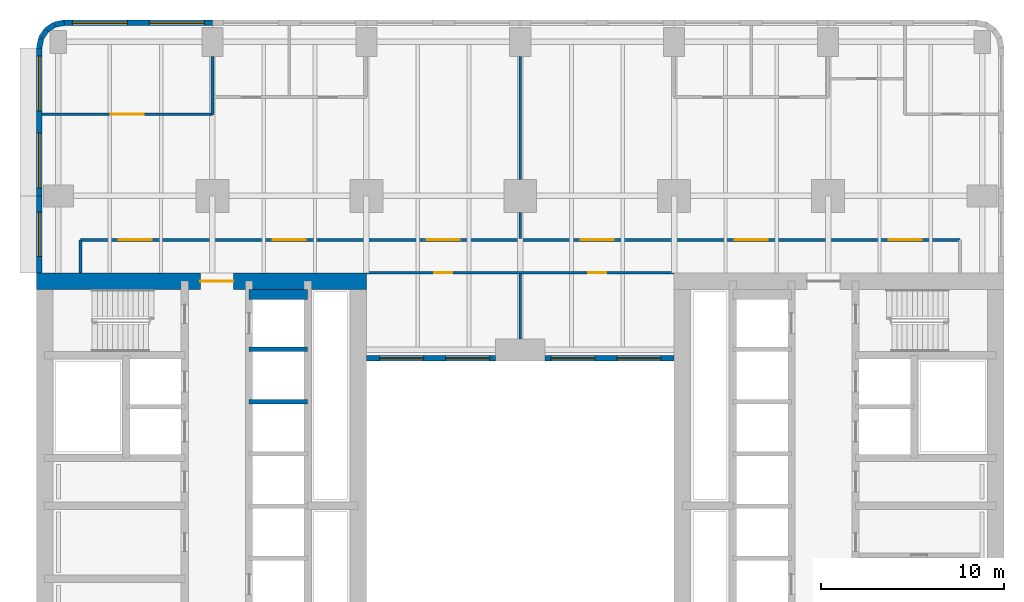
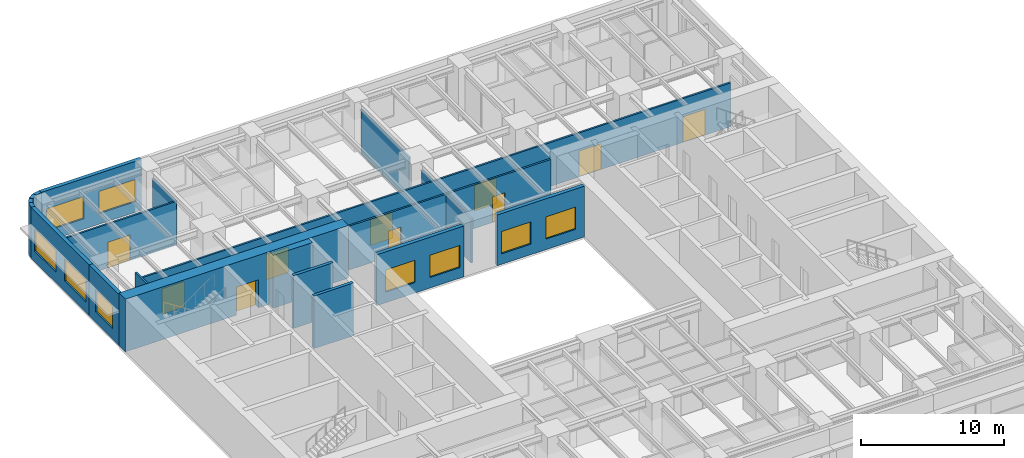
# One storey, part 6 of 12: 21 walls, 10 doors, 9 windows, 19 openings.
"""IFC4 building model written with IfcOpenShell, lengths in metres."""

import ifcopenshell
import ifcopenshell.guid

model = None  # the IFC model being written
_history = None  # IfcOwnerHistory: only IFC2X3 demands one
_inside = {}  # id of a spatial element -> (the spatial element, [elements in it])
_under = {}  # id of a project, library or spatial element -> (it, [spatial elements below it])
_declared = {}  # id of a project -> (the project, [libraries it declares])
_typed = {}  # id of a type object -> (the type object, [elements of that type])
_made_of = {}  # id of a material, layer set ... -> (it, [elements and type objects made of it])


def new_model(schema):
    """Start an empty IFC model of exactly this schema.

    Asked for "IFC4X3", IfcOpenShell would pick the latest addendum, in which some entities
    have other attributes; the version numbers below select the first issue.
    IFC2X3 requires an IfcOwnerHistory on every rooted entity: one is made here for all.
    """
    global model, _history
    if schema == "IFC4X3":
        model = ifcopenshell.file(schema_version=(4, 3, 0, 0))
    else:
        model = ifcopenshell.file(schema=schema)
    _inside.clear()
    _under.clear()
    _declared.clear()
    _typed.clear()
    _made_of.clear()
    _history = None
    if model.schema == "IFC2X3":
        org = make("IfcOrganization", Name="unknown")
        user = make(
            "IfcPersonAndOrganization",
            ThePerson=make("IfcPerson", FamilyName="unknown"),
            TheOrganization=org,
        )
        app = make(
            "IfcApplication",
            ApplicationDeveloper=org,
            Version="unknown",
            ApplicationFullName="unknown",
            ApplicationIdentifier="unknown",
        )
        _history = make(
            "IfcOwnerHistory",
            OwningUser=user,
            OwningApplication=app,
            ChangeAction="ADDED",
            CreationDate=0,
        )
    return model


def make(cls, **values):
    """One entity of the class cls with the attributes given. An attribute that is None is left unset."""
    return model.create_entity(
        cls, **{name: value for name, value in values.items() if value is not None}
    )


def rooted(cls, **values):
    """An entity with a GlobalId (a new one), such as an element, a storey or a relation."""
    return make(cls, GlobalId=ifcopenshell.guid.new(), OwnerHistory=_history, **values)


def si_unit(unit_type, name, prefix=None):
    """IfcSIUnit, for example si_unit("LENGTHUNIT", "METRE", prefix="MILLI")."""
    return make("IfcSIUnit", UnitType=unit_type, Prefix=prefix, Name=name)


def assignment(units):
    """IfcUnitAssignment: the units of a project."""
    return None if units is None else make("IfcUnitAssignment", Units=units)


def point(xyz):
    """IfcCartesianPoint."""
    return None if xyz is None else make("IfcCartesianPoint", Coordinates=xyz)


def direction(xyz):
    """IfcDirection."""
    return None if xyz is None else make("IfcDirection", DirectionRatios=xyz)


def frame(location, z_axis=None, x_axis=None):
    """IfcAxis2Placement3D, a coordinate frame: its origin and axes. An axis left out is left unset."""
    return make(
        "IfcAxis2Placement3D",
        Location=point(location),
        Axis=direction(z_axis),
        RefDirection=direction(x_axis),
    )


def frame_2d(location, x_axis=None):
    """IfcAxis2Placement2D, a coordinate frame in the plane: its origin and x axis."""
    return make(
        "IfcAxis2Placement2D", Location=point(location), RefDirection=direction(x_axis)
    )


def origin():
    """The frame at (0, 0, 0) with its axes left unset."""
    return frame((0.0, 0.0, 0.0))


def place(relative_to, where):
    """IfcLocalPlacement: puts the frame where relative to a parent placement (None: the world)."""
    return make(
        "IfcLocalPlacement", PlacementRelTo=relative_to, RelativePlacement=where
    )


def context(
    kind, dimensions, precision=None, world=None, true_north=None, identifier=None
):
    """IfcGeometricRepresentationContext, for example the 3D "Model" context."""
    return make(
        "IfcGeometricRepresentationContext",
        ContextIdentifier=identifier,
        ContextType=kind,
        CoordinateSpaceDimension=dimensions,
        Precision=precision,
        WorldCoordinateSystem=world,
        TrueNorth=true_north,
    )


def subcontext(parent, identifier, kind, view, scale=None):
    """IfcGeometricRepresentationSubContext, for example "Body" below "Model"."""
    return make(
        "IfcGeometricRepresentationSubContext",
        ContextIdentifier=identifier,
        ContextType=kind,
        ParentContext=parent,
        TargetScale=scale,
        TargetView=view,
    )


def project(units=None, contexts=None):
    """IfcProject with its units and contexts."""
    return rooted(
        "IfcProject",
        Name="project",
        RepresentationContexts=contexts,
        UnitsInContext=assignment(units),
    )


def spatial(cls, under=None, at=None, **own):
    """A site, building, storey or space (cls), placed at a placement, below another one or the project."""
    s = rooted(cls, ObjectPlacement=at, **own)
    if under is not None:
        _under.setdefault(under.id(), (under, []))[1].append(s)
    return s


def profile(cls, at=None, kind="AREA", **sizes):
    """A parametric profile (cls). Its sizes go by their IFC names, for example OverallWidth=200.0."""
    return make(cls, ProfileType=kind, Position=at, **sizes)


def rectangle(**sizes):
    """IfcRectangleProfileDef."""
    return profile("IfcRectangleProfileDef", **sizes)


def extrude(swept, where, along, depth):
    """IfcExtrudedAreaSolid: the profile swept, set in the frame where, extruded along a direction by depth."""
    return make(
        "IfcExtrudedAreaSolid",
        SweptArea=swept,
        Position=where,
        ExtrudedDirection=direction(along),
        Depth=depth,
    )


def shape(context_of_items, identifier, shape_type, items):
    """IfcShapeRepresentation: the items that make up one representation, for example the "Body"."""
    return make(
        "IfcShapeRepresentation",
        ContextOfItems=context_of_items,
        RepresentationIdentifier=identifier,
        RepresentationType=shape_type,
        Items=items,
    )


def material(Name=None, Category=None):
    """IfcMaterial."""
    return make("IfcMaterial", Name=Name, Category=Category)


def layer(
    of_material, thickness, ventilated=None, Name=None, Category=None, Priority=None
):
    """IfcMaterialLayer: one layer of a wall or slab, of a material (None: an air gap)."""
    return make(
        "IfcMaterialLayer",
        Material=of_material,
        LayerThickness=thickness,
        IsVentilated=ventilated,
        Name=Name,
        Category=Category,
        Priority=Priority,
    )


def layer_set(layers, Name=None):
    """IfcMaterialLayerSet."""
    return make("IfcMaterialLayerSet", MaterialLayers=layers, LayerSetName=Name)


def made_of(thing, what):
    """Note that an element or type object is made of a material, layer set ...; save() writes the relation."""
    if what is not None:
        _made_of.setdefault(what.id(), (what, []))[1].append(thing)
    return thing


def type_object(cls, material=None, **own):
    """A type object (cls), such as IfcWallType, which elements share."""
    return made_of(rooted(cls, **own), material)


def element(
    cls,
    number,
    at=None,
    inside=None,
    cuts=None,
    type_object=None,
    material=None,
    context=None,
    identifier="Body",
    shape_type=None,
    held_by="IfcProductDefinitionShape",
    body=None,
    shapes=None,
    **own,
):
    """One element of the class cls, such as IfcWall. Its Tag is "e" and its number.

    at: its placement. inside: the storey or other place that contains it. cuts: it is an
    opening in that element (IfcRelVoidsElement). A single representation is given by context,
    identifier, shape_type and body (its items); several are given by shapes. held_by: the class
    of the entity that holds the representations. save() writes the other relations.
    """
    e = rooted(cls, Tag="e%d" % number, ObjectPlacement=at, **own)
    if body is not None:
        shapes = [shape(context, identifier, shape_type, body)]
    if shapes is not None:
        e.Representation = make(held_by, Representations=shapes)
    if inside is not None:
        _inside.setdefault(inside.id(), (inside, []))[1].append(e)
    if cuts is not None:
        rooted(
            "IfcRelVoidsElement", RelatingBuildingElement=cuts, RelatedOpeningElement=e
        )
    if type_object is not None:
        _typed.setdefault(type_object.id(), (type_object, []))[1].append(e)
    return made_of(e, material)


def fill(opening, filler):
    """IfcRelFillsElement: the door or window that sits in an opening."""
    return rooted(
        "IfcRelFillsElement",
        RelatingOpeningElement=opening,
        RelatedBuildingElement=filler,
    )


def aggregate(whole, parts):
    """IfcRelAggregates: a whole, such as a stair, and the parts it consists of."""
    return rooted("IfcRelAggregates", RelatingObject=whole, RelatedObjects=parts)


def save(model, path):
    """Write the relations noted so far, then the file.

    IfcRelAggregates (storeys below a building ...), IfcRelContainedInSpatialStructure (elements
    in a storey), IfcRelDefinesByType, IfcRelAssociatesMaterial and IfcRelDeclares: one each for
    every whole, place, type object, material and project.
    """
    for whole, parts in _under.values():
        aggregate(whole, parts)
    for where, things in _inside.values():
        rooted(
            "IfcRelContainedInSpatialStructure",
            RelatedElements=things,
            RelatingStructure=where,
        )
    for kind, things in _typed.values():
        rooted("IfcRelDefinesByType", RelatedObjects=things, RelatingType=kind)
    for what, things in _made_of.values():
        rooted("IfcRelAssociatesMaterial", RelatedObjects=things, RelatingMaterial=what)
    for by, libraries in _declared.values():
        rooted("IfcRelDeclares", RelatingContext=by, RelatedDefinitions=libraries)
    model.write(path)


model = new_model("IFC4")

# Units and contexts
model_context = context("Model", 3, precision=1e-05, world=origin(), true_north=direction((0.0, 1.0)))
body_context = subcontext(model_context, "Body", "Model", "MODEL_VIEW")
ifc_project = project(units=[si_unit("LENGTHUNIT", "METRE"), si_unit("AREAUNIT", "SQUARE_METRE"), si_unit("VOLUMEUNIT", "CUBIC_METRE"), si_unit("PLANEANGLEUNIT", "RADIAN"), si_unit("MASSUNIT", "GRAM", prefix="KILO")], contexts=[model_context])

# Site, building, storey
site_placement = place(None, origin())
site = spatial("IfcSite", under=ifc_project, at=site_placement, CompositionType="ELEMENT")
building_placement = place(site_placement, origin())
building = spatial("IfcBuilding", under=site, at=building_placement, Name="Claustro Exchange Tower", CompositionType="ELEMENT")
storey_placement = place(building_placement, frame((0.0, 0.0, 45.89990234375)))
storey = spatial("IfcBuildingStorey", under=building, at=storey_placement, Name="L10", CompositionType="ELEMENT", Elevation=45.89990234375)

# Wall, opening, door
ifc_material_1 = material(Name="Gypsum board on steel studs", Category="steel")
ifc_layer_1 = layer(ifc_material_1, 0.14990234375)
ifc_layer_set_1 = layer_set([ifc_layer_1], Name="Gypsum board on steel studs")
wall_type_1 = type_object("IfcWallType", Name="P1 150 plasterboard partition", PredefinedType="PARTITIONING", material=ifc_layer_set_1)
wall_1_placement = place(storey_placement, frame((-0.902099609375, 46.449951171875, 0.0), z_axis=(0.0, 0.0, 1.0), x_axis=(1.0, 0.0, 0.0)))
wall_1 = element("IfcWall", 1, at=wall_1_placement, inside=storey, type_object=wall_type_1, Name="Partition P1 L10", PredefinedType="PARTITIONING", context=body_context, shape_type="SweptSolid", body=[
    extrude(rectangle(XDim=9.302001953125, YDim=0.14990234375, at=frame_2d((4.65087890625, 0.0))), origin(), (0.0, 0.0, 1.0), 3.739990234375),
])
opening_1_placement = place(wall_1_placement, frame((3.751953125, 0.0, 0.0)))
opening_1 = element("IfcOpeningElement", 2, at=opening_1_placement, cuts=wall_1, Name="Opening D2", PredefinedType="OPENING", context=body_context, shape_type="SweptSolid", body=[
    extrude(rectangle(XDim=1.800048828125, YDim=2.199951171875, at=frame_2d((0.89990234375, 1.10009765625))), frame((0.0, 0.0849609375, 0.0), z_axis=(0.0, -1.0, 0.0), x_axis=(1.0, 0.0, 0.0)), (0.0, 0.0, 1.0), 0.169921875),
])
ifc_material_2 = material(Name="Timber door, oak veneer", Category="wood")
door_type_1 = type_object("IfcDoorType", Name="D2 1800 x 2200 double door", OperationType="DOUBLE_DOOR_SINGLE_SWING", PredefinedType="DOOR", material=ifc_material_2)
door_1_placement = place(opening_1_placement, origin())
door_1 = element("IfcDoor", 3, at=door_1_placement, inside=storey, type_object=door_type_1, Name="Double door D2 L10", OperationType="DOUBLE_DOOR_SINGLE_SWING", OverallHeight=2.199951171875, OverallWidth=1.800048828125, PredefinedType="DOOR", context=body_context, shape_type="SweptSolid", body=[
    extrude(rectangle(XDim=1.800048828125, YDim=2.199951171875, at=frame_2d((0.89990234375, 1.10009765625))), frame((0.0, 0.02490234375, 0.0), z_axis=(0.0, -1.0, 0.0), x_axis=(1.0, 0.0, 0.0)), (0.0, 0.0, 1.0), 0.050048828125),
])
fill(opening_1, door_1)

# Walls
wall_2_placement = place(storey_placement, frame((8.39990234375, 46.449951171875, 0.0), z_axis=(0.0, 0.0, 1.0), x_axis=(0.0, 1.0, 0.0)))
element("IfcWall", 4, at=wall_2_placement, inside=storey, type_object=wall_type_1, Name="Partition P1 L10", PredefinedType="PARTITIONING", context=body_context, shape_type="SweptSolid", body=[
    extrude(rectangle(XDim=3.151123046875, YDim=0.14990234375, at=frame_2d((1.57568359375, 0.0))), origin(), (0.0, 0.0, 1.0), 3.739990234375),
])
wall_3_placement = place(storey_placement, frame((25.199951171875, 39.674072265625, 0.0), z_axis=(0.0, 0.0, 1.0), x_axis=(0.0, 1.0, 0.0)))
element("IfcWall", 5, at=wall_3_placement, inside=storey, type_object=wall_type_1, Name="Partition P1 L10", PredefinedType="PARTITIONING", context=body_context, shape_type="SweptSolid", body=[
    extrude(rectangle(XDim=1.427001953125, YDim=0.14990234375, at=frame_2d((0.71337890625, 0.0))), origin(), (0.0, 0.0, 1.0), 3.739990234375),
])
wall_4_placement = place(storey_placement, frame((25.199951171875, 42.89892578125, 0.0), z_axis=(0.0, 0.0, 1.0), x_axis=(0.0, 1.0, 0.0)))
element("IfcWall", 6, at=wall_4_placement, inside=storey, type_object=wall_type_1, Name="Partition P1 L10", PredefinedType="PARTITIONING", context=body_context, shape_type="SweptSolid", body=[
    extrude(rectangle(XDim=6.7021484375, YDim=0.14990234375, at=frame_2d((3.35107421875, 0.0))), origin(), (0.0, 0.0, 1.0), 3.739990234375),
])

# Wall, openings, doors
wall_5_placement = place(storey_placement, frame((1.199951171875, 39.60009765625, 0.0), z_axis=(0.0, 0.0, 1.0), x_axis=(1.0, 0.0, 0.0)))
wall_5 = element("IfcWall", 7, at=wall_5_placement, inside=storey, type_object=wall_type_1, Name="Partition P1 L10", PredefinedType="PARTITIONING", context=body_context, shape_type="SweptSolid", body=[
    extrude(rectangle(XDim=48.0, YDim=0.14990234375, at=frame_2d((24.0, 0.0))), origin(), (0.0, 0.0, 1.0), 3.739990234375),
])
opening_2_placement = place(wall_5_placement, frame((2.10009765625, 0.0, 0.0)))
opening_2 = element("IfcOpeningElement", 8, at=opening_2_placement, cuts=wall_5, Name="Opening D2", PredefinedType="OPENING", context=body_context, shape_type="SweptSolid", body=[
    extrude(rectangle(XDim=1.800048828125, YDim=2.199951171875, at=frame_2d((0.89990234375, 1.10009765625))), frame((0.0, 0.0849609375, 0.0), z_axis=(0.0, -1.0, 0.0), x_axis=(1.0, 0.0, 0.0)), (0.0, 0.0, 1.0), 0.169921875),
])
opening_3_placement = place(wall_5_placement, frame((10.5, 0.0, 0.0)))
opening_3 = element("IfcOpeningElement", 9, at=opening_3_placement, cuts=wall_5, Name="Opening D2", PredefinedType="OPENING", context=body_context, shape_type="SweptSolid", body=[
    extrude(rectangle(XDim=1.800048828125, YDim=2.199951171875, at=frame_2d((0.89990234375, 1.10009765625))), frame((0.0, 0.0849609375, 0.0), z_axis=(0.0, -1.0, 0.0), x_axis=(1.0, 0.0, 0.0)), (0.0, 0.0, 1.0), 0.169921875),
])
opening_4_placement = place(wall_5_placement, frame((18.89990234375, 0.0, 0.0)))
opening_4 = element("IfcOpeningElement", 10, at=opening_4_placement, cuts=wall_5, Name="Opening D2", PredefinedType="OPENING", context=body_context, shape_type="SweptSolid", body=[
    extrude(rectangle(XDim=1.800048828125, YDim=2.199951171875, at=frame_2d((0.89990234375, 1.10009765625))), frame((0.0, 0.0849609375, 0.0), z_axis=(0.0, -1.0, 0.0), x_axis=(1.0, 0.0, 0.0)), (0.0, 0.0, 1.0), 0.169921875),
])
opening_5_placement = place(wall_5_placement, frame((27.300048828125, 0.0, 0.0)))
opening_5 = element("IfcOpeningElement", 11, at=opening_5_placement, cuts=wall_5, Name="Opening D2", PredefinedType="OPENING", context=body_context, shape_type="SweptSolid", body=[
    extrude(rectangle(XDim=1.800048828125, YDim=2.199951171875, at=frame_2d((0.89990234375, 1.10009765625))), frame((0.0, 0.0849609375, 0.0), z_axis=(0.0, -1.0, 0.0), x_axis=(1.0, 0.0, 0.0)), (0.0, 0.0, 1.0), 0.169921875),
])
opening_6_placement = place(wall_5_placement, frame((35.699951171875, 0.0, 0.0)))
opening_6 = element("IfcOpeningElement", 12, at=opening_6_placement, cuts=wall_5, Name="Opening D2", PredefinedType="OPENING", context=body_context, shape_type="SweptSolid", body=[
    extrude(rectangle(XDim=1.800048828125, YDim=2.199951171875, at=frame_2d((0.89990234375, 1.10009765625))), frame((0.0, 0.0849609375, 0.0), z_axis=(0.0, -1.0, 0.0), x_axis=(1.0, 0.0, 0.0)), (0.0, 0.0, 1.0), 0.169921875),
])
opening_7_placement = place(wall_5_placement, frame((44.10009765625, 0.0, 0.0)))
opening_7 = element("IfcOpeningElement", 13, at=opening_7_placement, cuts=wall_5, Name="Opening D2", PredefinedType="OPENING", context=body_context, shape_type="SweptSolid", body=[
    extrude(rectangle(XDim=1.800048828125, YDim=2.199951171875, at=frame_2d((0.89990234375, 1.10009765625))), frame((0.0, 0.0849609375, 0.0), z_axis=(0.0, -1.0, 0.0), x_axis=(1.0, 0.0, 0.0)), (0.0, 0.0, 1.0), 0.169921875),
])
door_2_placement = place(opening_2_placement, origin())
door_2 = element("IfcDoor", 14, at=door_2_placement, inside=storey, type_object=door_type_1, Name="Double door D2 L10", OperationType="DOUBLE_DOOR_SINGLE_SWING", OverallHeight=2.199951171875, OverallWidth=1.800048828125, PredefinedType="DOOR", context=body_context, shape_type="SweptSolid", body=[
    extrude(rectangle(XDim=1.800048828125, YDim=2.199951171875, at=frame_2d((0.89990234375, 1.10009765625))), frame((0.0, 0.02490234375, 0.0), z_axis=(0.0, -1.0, 0.0), x_axis=(1.0, 0.0, 0.0)), (0.0, 0.0, 1.0), 0.050048828125),
])
fill(opening_2, door_2)
door_3_placement = place(opening_3_placement, origin())
door_3 = element("IfcDoor", 15, at=door_3_placement, inside=storey, type_object=door_type_1, Name="Double door D2 L10", OperationType="DOUBLE_DOOR_SINGLE_SWING", OverallHeight=2.199951171875, OverallWidth=1.800048828125, PredefinedType="DOOR", context=body_context, shape_type="SweptSolid", body=[
    extrude(rectangle(XDim=1.800048828125, YDim=2.199951171875, at=frame_2d((0.89990234375, 1.10009765625))), frame((0.0, 0.02490234375, 0.0), z_axis=(0.0, -1.0, 0.0), x_axis=(1.0, 0.0, 0.0)), (0.0, 0.0, 1.0), 0.050048828125),
])
fill(opening_3, door_3)
door_4_placement = place(opening_4_placement, origin())
door_4 = element("IfcDoor", 16, at=door_4_placement, inside=storey, type_object=door_type_1, Name="Double door D2 L10", OperationType="DOUBLE_DOOR_SINGLE_SWING", OverallHeight=2.199951171875, OverallWidth=1.800048828125, PredefinedType="DOOR", context=body_context, shape_type="SweptSolid", body=[
    extrude(rectangle(XDim=1.800048828125, YDim=2.199951171875, at=frame_2d((0.89990234375, 1.10009765625))), frame((0.0, 0.02490234375, 0.0), z_axis=(0.0, -1.0, 0.0), x_axis=(1.0, 0.0, 0.0)), (0.0, 0.0, 1.0), 0.050048828125),
])
fill(opening_4, door_4)
door_5_placement = place(opening_5_placement, origin())
door_5 = element("IfcDoor", 17, at=door_5_placement, inside=storey, type_object=door_type_1, Name="Double door D2 L10", OperationType="DOUBLE_DOOR_SINGLE_SWING", OverallHeight=2.199951171875, OverallWidth=1.800048828125, PredefinedType="DOOR", context=body_context, shape_type="SweptSolid", body=[
    extrude(rectangle(XDim=1.800048828125, YDim=2.199951171875, at=frame_2d((0.89990234375, 1.10009765625))), frame((0.0, 0.02490234375, 0.0), z_axis=(0.0, -1.0, 0.0), x_axis=(1.0, 0.0, 0.0)), (0.0, 0.0, 1.0), 0.050048828125),
])
fill(opening_5, door_5)
door_6_placement = place(opening_6_placement, origin())
door_6 = element("IfcDoor", 18, at=door_6_placement, inside=storey, type_object=door_type_1, Name="Double door D2 L10", OperationType="DOUBLE_DOOR_SINGLE_SWING", OverallHeight=2.199951171875, OverallWidth=1.800048828125, PredefinedType="DOOR", context=body_context, shape_type="SweptSolid", body=[
    extrude(rectangle(XDim=1.800048828125, YDim=2.199951171875, at=frame_2d((0.89990234375, 1.10009765625))), frame((0.0, 0.02490234375, 0.0), z_axis=(0.0, -1.0, 0.0), x_axis=(1.0, 0.0, 0.0)), (0.0, 0.0, 1.0), 0.050048828125),
])
fill(opening_6, door_6)
door_7_placement = place(opening_7_placement, origin())
door_7 = element("IfcDoor", 19, at=door_7_placement, inside=storey, type_object=door_type_1, Name="Double door D2 L10", OperationType="DOUBLE_DOOR_SINGLE_SWING", OverallHeight=2.199951171875, OverallWidth=1.800048828125, PredefinedType="DOOR", context=body_context, shape_type="SweptSolid", body=[
    extrude(rectangle(XDim=1.800048828125, YDim=2.199951171875, at=frame_2d((0.89990234375, 1.10009765625))), frame((0.0, 0.02490234375, 0.0), z_axis=(0.0, -1.0, 0.0), x_axis=(1.0, 0.0, 0.0)), (0.0, 0.0, 1.0), 0.050048828125),
])
fill(opening_7, door_7)

# Wall
wall_6_placement = place(storey_placement, frame((1.199951171875, 37.800048828125, 0.0), z_axis=(0.0, 0.0, 1.0), x_axis=(0.0, 1.0, 0.0)))
element("IfcWall", 20, at=wall_6_placement, inside=storey, type_object=wall_type_1, Name="Partition P1 L10", PredefinedType="PARTITIONING", context=body_context, shape_type="SweptSolid", body=[
    extrude(rectangle(XDim=1.800048828125, YDim=0.14990234375, at=frame_2d((0.89990234375, 0.0))), origin(), (0.0, 0.0, 1.0), 4.340087890625),
])

# Wall, openings, doors
wall_7_placement = place(storey_placement, frame((16.798095703125, 37.800048828125, 0.0), z_axis=(0.0, 0.0, 1.0), x_axis=(1.0, 0.0, 0.0)))
wall_7 = element("IfcWall", 21, at=wall_7_placement, inside=storey, type_object=wall_type_1, Name="Partition P1 L10", PredefinedType="PARTITIONING", context=body_context, shape_type="SweptSolid", body=[
    extrude(rectangle(XDim=16.803955078125, YDim=0.14990234375, at=frame_2d((8.40185546875, 0.0))), origin(), (0.0, 0.0, 1.0), 3.739990234375),
])
opening_8_placement = place(wall_7_placement, frame((3.701904296875, 0.0, 0.0)))
opening_8 = element("IfcOpeningElement", 22, at=opening_8_placement, cuts=wall_7, Name="Opening D1", PredefinedType="OPENING", context=body_context, shape_type="SweptSolid", body=[
    extrude(rectangle(XDim=1.0, YDim=2.199951171875, at=frame_2d((0.5, 1.10009765625))), frame((0.0, 0.0849609375, 0.0), z_axis=(0.0, -1.0, 0.0), x_axis=(1.0, 0.0, 0.0)), (0.0, 0.0, 1.0), 0.169921875),
])
opening_9_placement = place(wall_7_placement, frame((12.10205078125, 0.0, 0.0)))
opening_9 = element("IfcOpeningElement", 23, at=opening_9_placement, cuts=wall_7, Name="Opening D1", PredefinedType="OPENING", context=body_context, shape_type="SweptSolid", body=[
    extrude(rectangle(XDim=1.0, YDim=2.199951171875, at=frame_2d((0.5, 1.10009765625))), frame((0.0, 0.0849609375, 0.0), z_axis=(0.0, -1.0, 0.0), x_axis=(1.0, 0.0, 0.0)), (0.0, 0.0, 1.0), 0.169921875),
])
ifc_material_3 = material(Name="Timber door, oak veneer", Category="wood")
door_type_2 = type_object("IfcDoorType", Name="D1 1000 x 2200 single door", OperationType="SINGLE_SWING_LEFT", PredefinedType="DOOR", material=ifc_material_3)
door_8_placement = place(opening_8_placement, frame((1.0, 0.0, 0.0), z_axis=(0.0, 0.0, 1.0), x_axis=(-1.0, 0.0, 0.0)))
door_8 = element("IfcDoor", 24, at=door_8_placement, inside=storey, type_object=door_type_2, Name="Door D1 L10", OperationType="SINGLE_SWING_RIGHT", OverallHeight=2.199951171875, OverallWidth=1.0, PredefinedType="DOOR", context=body_context, shape_type="SweptSolid", body=[
    extrude(rectangle(XDim=1.0, YDim=2.199951171875, at=frame_2d((0.5, 1.10009765625))), frame((0.0, 0.02490234375, 0.0), z_axis=(0.0, -1.0, 0.0), x_axis=(1.0, 0.0, 0.0)), (0.0, 0.0, 1.0), 0.050048828125),
])
fill(opening_8, door_8)
door_9_placement = place(opening_9_placement, frame((1.0, 0.0, 0.0), z_axis=(0.0, 0.0, 1.0), x_axis=(-1.0, 0.0, 0.0)))
door_9 = element("IfcDoor", 25, at=door_9_placement, inside=storey, type_object=door_type_2, Name="Door D1 L10", OperationType="SINGLE_SWING_RIGHT", OverallHeight=2.199951171875, OverallWidth=1.0, PredefinedType="DOOR", context=body_context, shape_type="SweptSolid", body=[
    extrude(rectangle(XDim=1.0, YDim=2.199951171875, at=frame_2d((0.5, 1.10009765625))), frame((0.0, 0.02490234375, 0.0), z_axis=(0.0, -1.0, 0.0), x_axis=(1.0, 0.0, 0.0)), (0.0, 0.0, 1.0), 0.050048828125),
])
fill(opening_9, door_9)

# Wall
wall_8_placement = place(storey_placement, frame((25.199951171875, 34.198974609375, 0.0), z_axis=(0.0, 0.0, 1.0), x_axis=(0.0, 1.0, 0.0)))
element("IfcWall", 26, at=wall_8_placement, inside=storey, type_object=wall_type_1, Name="Partition P1 L10", PredefinedType="PARTITIONING", context=body_context, shape_type="SweptSolid", body=[
    extrude(rectangle(XDim=3.527099609375, YDim=0.14990234375, at=frame_2d((1.763671875, 0.0))), origin(), (0.0, 0.0, 1.0), 3.739990234375),
])

# Wall, opening, window
ifc_material_4 = material(Name="Concrete HA-40 (C40/50), precast, white cement, acid-etched", Category="concrete")
ifc_layer_2 = layer(ifc_material_4, 0.300048828125)
ifc_layer_set_2 = layer_set([ifc_layer_2], Name="Concrete HA-40 (C40/50), precast, white cement, acid-etched")
wall_type_2 = type_object("IfcWallType", Name="PC1 300 precast concrete pier panel", PredefinedType="SOLIDWALL", material=ifc_layer_set_2)
wall_9_placement = place(storey_placement, frame((-1.050048828125, 37.800048828125, 0.0), z_axis=(0.0, 0.0, 1.0), x_axis=(0.0, 1.0, 0.0)))
wall_9 = element("IfcWall", 27, at=wall_9_placement, inside=storey, type_object=wall_type_2, Name="Precast pier panel PC1 L10", PredefinedType="SOLIDWALL", context=body_context, shape_type="SweptSolid", body=[
    extrude(rectangle(XDim=4.199951171875, YDim=0.300048828125, at=frame_2d((2.10009765625, 0.0))), origin(), (0.0, 0.0, 1.0), 4.340087890625),
])
opening_10_placement = place(wall_9_placement, frame((0.89990234375, 0.0, 0.89990234375)))
opening_10 = element("IfcOpeningElement", 28, at=opening_10_placement, cuts=wall_9, Name="Opening W2", PredefinedType="OPENING", context=body_context, shape_type="SweptSolid", body=[
    extrude(rectangle(XDim=2.39990234375, YDim=1.89990234375, at=frame_2d((1.199951171875, 0.949951171875))), frame((0.0, 0.159912109375, 0.0), z_axis=(0.0, -1.0, 0.0), x_axis=(1.0, 0.0, 0.0)), (0.0, 0.0, 1.0), 0.320068359375),
])
ifc_material_5 = material(Name="Aluminium frame, clear double glazing", Category="aluminium")
window_type_1 = type_object("IfcWindowType", Name="W2 2400 x 1900 window", PartitioningType="SINGLE_PANEL", PredefinedType="WINDOW", material=ifc_material_5)
window_1_placement = place(opening_10_placement, origin())
window_1 = element("IfcWindow", 29, at=window_1_placement, inside=storey, type_object=window_type_1, Name="Window W2 L10", OverallHeight=1.89990234375, OverallWidth=2.39990234375, PartitioningType="SINGLE_PANEL", PredefinedType="WINDOW", context=body_context, shape_type="SweptSolid", body=[
    extrude(rectangle(XDim=2.39990234375, YDim=1.89990234375, at=frame_2d((1.199951171875, 0.949951171875))), frame((0.0, 0.030029296875, 0.0), z_axis=(0.0, -1.0, 0.0), x_axis=(1.0, 0.0, 0.0)), (0.0, 0.0, 1.0), 0.06005859375),
])
fill(opening_10, window_1)

# Wall, openings, windows
wall_10_placement = place(storey_placement, frame((-1.050048828125, 42.0, 0.0), z_axis=(0.0, 0.0, 1.0), x_axis=(0.0, 1.0, 0.0)))
wall_10 = element("IfcWall", 30, at=wall_10_placement, inside=storey, type_object=wall_type_2, Name="Precast pier panel PC1 L10", PredefinedType="SOLIDWALL", context=body_context, shape_type="SweptSolid", body=[
    extrude(rectangle(XDim=8.085205078125, YDim=0.300048828125, at=frame_2d((4.04248046875, 0.0))), origin(), (0.0, 0.0, 1.0), 4.340087890625),
])
opening_11_placement = place(wall_10_placement, frame((0.442626953125, 0.0, 0.89990234375)))
opening_11 = element("IfcOpeningElement", 31, at=opening_11_placement, cuts=wall_10, Name="Opening W1", PredefinedType="OPENING", context=body_context, shape_type="SweptSolid", body=[
    extrude(rectangle(XDim=3.0, YDim=1.89990234375, at=frame_2d((1.5, 0.949951171875))), frame((0.0, 0.159912109375, 0.0), z_axis=(0.0, -1.0, 0.0), x_axis=(1.0, 0.0, 0.0)), (0.0, 0.0, 1.0), 0.320068359375),
])
opening_12_placement = place(wall_10_placement, frame((4.642578125, 0.0, 0.89990234375)))
opening_12 = element("IfcOpeningElement", 32, at=opening_12_placement, cuts=wall_10, Name="Opening W1", PredefinedType="OPENING", context=body_context, shape_type="SweptSolid", body=[
    extrude(rectangle(XDim=3.0, YDim=1.89990234375, at=frame_2d((1.5, 0.949951171875))), frame((0.0, 0.159912109375, 0.0), z_axis=(0.0, -1.0, 0.0), x_axis=(1.0, 0.0, 0.0)), (0.0, 0.0, 1.0), 0.320068359375),
])
ifc_material_6 = material(Name="Aluminium frame, clear double glazing", Category="aluminium")
window_type_2 = type_object("IfcWindowType", Name="W1 3000 x 1900 window", PartitioningType="SINGLE_PANEL", PredefinedType="WINDOW", material=ifc_material_6)
window_2_placement = place(opening_11_placement, origin())
window_2 = element("IfcWindow", 33, at=window_2_placement, inside=storey, type_object=window_type_2, Name="Window W1 L10", OverallHeight=1.89990234375, OverallWidth=3.0, PartitioningType="SINGLE_PANEL", PredefinedType="WINDOW", context=body_context, shape_type="SweptSolid", body=[
    extrude(rectangle(XDim=3.0, YDim=1.89990234375, at=frame_2d((1.5, 0.949951171875))), frame((0.0, 0.030029296875, 0.0), z_axis=(0.0, -1.0, 0.0), x_axis=(1.0, 0.0, 0.0)), (0.0, 0.0, 1.0), 0.06005859375),
])
fill(opening_11, window_2)
window_3_placement = place(opening_12_placement, origin())
window_3 = element("IfcWindow", 34, at=window_3_placement, inside=storey, type_object=window_type_2, Name="Window W1 L10", OverallHeight=1.89990234375, OverallWidth=3.0, PartitioningType="SINGLE_PANEL", PredefinedType="WINDOW", context=body_context, shape_type="SweptSolid", body=[
    extrude(rectangle(XDim=3.0, YDim=1.89990234375, at=frame_2d((1.5, 0.949951171875))), frame((0.0, 0.030029296875, 0.0), z_axis=(0.0, -1.0, 0.0), x_axis=(1.0, 0.0, 0.0)), (0.0, 0.0, 1.0), 0.06005859375),
])
fill(opening_12, window_3)

# Walls
wall_11_placement = place(storey_placement, frame((-1.050048828125, 50.085205078125, 0.0), z_axis=(0.0, 0.0, 1.0), x_axis=(0.195073962632, 0.980788534345, 0.0)))
element("IfcWall", 35, at=wall_11_placement, inside=storey, type_object=wall_type_2, Name="Precast pier panel PC1 L10", PredefinedType="SOLIDWALL", context=body_context, shape_type="SweptSolid", body=[
    extrude(rectangle(XDim=0.540771484375, YDim=0.300048828125, at=frame_2d((0.2705078125, 0.0))), origin(), (0.0, 0.0, 1.0), 4.340087890625),
])
for number, where, z_axis, x_axis, name in (
    (36, (-0.944580078125, 50.615478515625, 0.0), (0.0, 0.0, 1.0), (0.555557463938, 0.831478144188, 0.0), "Precast pier panel PC1 L10"),
    (37, (-0.652587890625, 51.052490234375, 0.0), (0.0, 0.0, 1.0), (0.831478144188, 0.555557463938, 0.0), "Precast pier panel PC1 L10"),
):
    element("IfcWall", number, at=place(storey_placement, frame(where, z_axis=z_axis, x_axis=x_axis)), inside=storey, type_object=wall_type_2, Name=name, PredefinedType="SOLIDWALL", context=body_context, shape_type="SweptSolid", body=[
        extrude(rectangle(XDim=0.525634765625, YDim=0.300048828125, at=frame_2d((0.2626953125, 0.0))), origin(), (0.0, 0.0, 1.0), 4.340087890625),
    ])
wall_12_placement = place(storey_placement, frame((-0.215576171875, 51.344482421875, 0.0), z_axis=(0.0, 0.0, 1.0), x_axis=(0.980788534345, 0.195073962632, 0.0)))
element("IfcWall", 38, at=wall_12_placement, inside=storey, type_object=wall_type_2, Name="Precast pier panel PC1 L10", PredefinedType="SOLIDWALL", context=body_context, shape_type="SweptSolid", body=[
    extrude(rectangle(XDim=0.540771484375, YDim=0.300048828125, at=frame_2d((0.2705078125, 0.0))), origin(), (0.0, 0.0, 1.0), 4.340087890625),
])

# Wall, openings, windows
wall_13_placement = place(storey_placement, frame((0.314697265625, 51.449951171875, 0.0), z_axis=(0.0, 0.0, 1.0), x_axis=(1.0, 0.0, 0.0)))
wall_13 = element("IfcWall", 39, at=wall_13_placement, inside=storey, type_object=wall_type_2, Name="Precast pier panel PC1 L10", PredefinedType="SOLIDWALL", context=body_context, shape_type="SweptSolid", body=[
    extrude(rectangle(XDim=8.085205078125, YDim=0.300048828125, at=frame_2d((4.04248046875, 0.0))), origin(), (0.0, 0.0, 1.0), 4.340087890625),
])
opening_13_placement = place(wall_13_placement, frame((0.442626953125, 0.0, 0.89990234375)))
opening_13 = element("IfcOpeningElement", 40, at=opening_13_placement, cuts=wall_13, Name="Opening W1", PredefinedType="OPENING", context=body_context, shape_type="SweptSolid", body=[
    extrude(rectangle(XDim=3.0, YDim=1.89990234375, at=frame_2d((1.5, 0.949951171875))), frame((0.0, 0.159912109375, 0.0), z_axis=(0.0, -1.0, 0.0), x_axis=(1.0, 0.0, 0.0)), (0.0, 0.0, 1.0), 0.320068359375),
])
opening_14_placement = place(wall_13_placement, frame((4.642578125, 0.0, 0.89990234375)))
opening_14 = element("IfcOpeningElement", 41, at=opening_14_placement, cuts=wall_13, Name="Opening W1", PredefinedType="OPENING", context=body_context, shape_type="SweptSolid", body=[
    extrude(rectangle(XDim=3.0, YDim=1.89990234375, at=frame_2d((1.5, 0.949951171875))), frame((0.0, 0.159912109375, 0.0), z_axis=(0.0, -1.0, 0.0), x_axis=(1.0, 0.0, 0.0)), (0.0, 0.0, 1.0), 0.320068359375),
])
window_4_placement = place(opening_13_placement, origin())
window_4 = element("IfcWindow", 42, at=window_4_placement, inside=storey, type_object=window_type_2, Name="Window W1 L10", OverallHeight=1.89990234375, OverallWidth=3.0, PartitioningType="SINGLE_PANEL", PredefinedType="WINDOW", context=body_context, shape_type="SweptSolid", body=[
    extrude(rectangle(XDim=3.0, YDim=1.89990234375, at=frame_2d((1.5, 0.949951171875))), frame((0.0, 0.030029296875, 0.0), z_axis=(0.0, -1.0, 0.0), x_axis=(1.0, 0.0, 0.0)), (0.0, 0.0, 1.0), 0.06005859375),
])
fill(opening_13, window_4)
window_5_placement = place(opening_14_placement, origin())
window_5 = element("IfcWindow", 43, at=window_5_placement, inside=storey, type_object=window_type_2, Name="Window W1 L10", OverallHeight=1.89990234375, OverallWidth=3.0, PartitioningType="SINGLE_PANEL", PredefinedType="WINDOW", context=body_context, shape_type="SweptSolid", body=[
    extrude(rectangle(XDim=3.0, YDim=1.89990234375, at=frame_2d((1.5, 0.949951171875))), frame((0.0, 0.030029296875, 0.0), z_axis=(0.0, -1.0, 0.0), x_axis=(1.0, 0.0, 0.0)), (0.0, 0.0, 1.0), 0.06005859375),
])
fill(opening_14, window_5)

wall_14_placement = place(storey_placement, frame((16.800048828125, 33.14990234375, 0.0), z_axis=(0.0, 0.0, 1.0), x_axis=(1.0, 0.0, 0.0)))
wall_14 = element("IfcWall", 44, at=wall_14_placement, inside=storey, type_object=wall_type_2, Name="Precast pier panel PC1 L10", PredefinedType="SOLIDWALL", context=body_context, shape_type="SweptSolid", body=[
    extrude(rectangle(XDim=7.050048828125, YDim=0.300048828125, at=frame_2d((3.52490234375, 0.0))), origin(), (0.0, 0.0, 1.0), 4.340087890625),
])
opening_15_placement = place(wall_14_placement, frame((0.72509765625, 0.0, 0.89990234375)))
opening_15 = element("IfcOpeningElement", 45, at=opening_15_placement, cuts=wall_14, Name="Opening W2", PredefinedType="OPENING", context=body_context, shape_type="SweptSolid", body=[
    extrude(rectangle(XDim=2.39990234375, YDim=1.89990234375, at=frame_2d((1.199951171875, 0.949951171875))), frame((0.0, 0.159912109375, 0.0), z_axis=(0.0, -1.0, 0.0), x_axis=(1.0, 0.0, 0.0)), (0.0, 0.0, 1.0), 0.320068359375),
])
opening_16_placement = place(wall_14_placement, frame((4.324951171875, 0.0, 0.89990234375)))
opening_16 = element("IfcOpeningElement", 46, at=opening_16_placement, cuts=wall_14, Name="Opening W2", PredefinedType="OPENING", context=body_context, shape_type="SweptSolid", body=[
    extrude(rectangle(XDim=2.39990234375, YDim=1.89990234375, at=frame_2d((1.199951171875, 0.949951171875))), frame((0.0, 0.159912109375, 0.0), z_axis=(0.0, -1.0, 0.0), x_axis=(1.0, 0.0, 0.0)), (0.0, 0.0, 1.0), 0.320068359375),
])
window_6_placement = place(opening_15_placement, origin())
window_6 = element("IfcWindow", 47, at=window_6_placement, inside=storey, type_object=window_type_1, Name="Window W2 L10", OverallHeight=1.89990234375, OverallWidth=2.39990234375, PartitioningType="SINGLE_PANEL", PredefinedType="WINDOW", context=body_context, shape_type="SweptSolid", body=[
    extrude(rectangle(XDim=2.39990234375, YDim=1.89990234375, at=frame_2d((1.199951171875, 0.949951171875))), frame((0.0, 0.030029296875, 0.0), z_axis=(0.0, -1.0, 0.0), x_axis=(1.0, 0.0, 0.0)), (0.0, 0.0, 1.0), 0.06005859375),
])
fill(opening_15, window_6)
window_7_placement = place(opening_16_placement, origin())
window_7 = element("IfcWindow", 48, at=window_7_placement, inside=storey, type_object=window_type_1, Name="Window W2 L10", OverallHeight=1.89990234375, OverallWidth=2.39990234375, PartitioningType="SINGLE_PANEL", PredefinedType="WINDOW", context=body_context, shape_type="SweptSolid", body=[
    extrude(rectangle(XDim=2.39990234375, YDim=1.89990234375, at=frame_2d((1.199951171875, 0.949951171875))), frame((0.0, 0.030029296875, 0.0), z_axis=(0.0, -1.0, 0.0), x_axis=(1.0, 0.0, 0.0)), (0.0, 0.0, 1.0), 0.06005859375),
])
fill(opening_16, window_7)

wall_15_placement = place(storey_placement, frame((26.550048828125, 33.14990234375, 0.0), z_axis=(0.0, 0.0, 1.0), x_axis=(1.0, 0.0, 0.0)))
wall_15 = element("IfcWall", 49, at=wall_15_placement, inside=storey, type_object=wall_type_2, Name="Precast pier panel PC1 L10", PredefinedType="SOLIDWALL", context=body_context, shape_type="SweptSolid", body=[
    extrude(rectangle(XDim=7.050048828125, YDim=0.300048828125, at=frame_2d((3.52490234375, 0.0))), origin(), (0.0, 0.0, 1.0), 4.340087890625),
])
opening_17_placement = place(wall_15_placement, frame((0.324951171875, 0.0, 0.89990234375)))
opening_17 = element("IfcOpeningElement", 50, at=opening_17_placement, cuts=wall_15, Name="Opening W2", PredefinedType="OPENING", context=body_context, shape_type="SweptSolid", body=[
    extrude(rectangle(XDim=2.39990234375, YDim=1.89990234375, at=frame_2d((1.199951171875, 0.949951171875))), frame((0.0, 0.159912109375, 0.0), z_axis=(0.0, -1.0, 0.0), x_axis=(1.0, 0.0, 0.0)), (0.0, 0.0, 1.0), 0.320068359375),
])
opening_18_placement = place(wall_15_placement, frame((3.925048828125, 0.0, 0.89990234375)))
opening_18 = element("IfcOpeningElement", 51, at=opening_18_placement, cuts=wall_15, Name="Opening W2", PredefinedType="OPENING", context=body_context, shape_type="SweptSolid", body=[
    extrude(rectangle(XDim=2.39990234375, YDim=1.89990234375, at=frame_2d((1.199951171875, 0.949951171875))), frame((0.0, 0.159912109375, 0.0), z_axis=(0.0, -1.0, 0.0), x_axis=(1.0, 0.0, 0.0)), (0.0, 0.0, 1.0), 0.320068359375),
])
window_8_placement = place(opening_17_placement, origin())
window_8 = element("IfcWindow", 52, at=window_8_placement, inside=storey, type_object=window_type_1, Name="Window W2 L10", OverallHeight=1.89990234375, OverallWidth=2.39990234375, PartitioningType="SINGLE_PANEL", PredefinedType="WINDOW", context=body_context, shape_type="SweptSolid", body=[
    extrude(rectangle(XDim=2.39990234375, YDim=1.89990234375, at=frame_2d((1.199951171875, 0.949951171875))), frame((0.0, 0.030029296875, 0.0), z_axis=(0.0, -1.0, 0.0), x_axis=(1.0, 0.0, 0.0)), (0.0, 0.0, 1.0), 0.06005859375),
])
fill(opening_17, window_8)
window_9_placement = place(opening_18_placement, origin())
window_9 = element("IfcWindow", 53, at=window_9_placement, inside=storey, type_object=window_type_1, Name="Window W2 L10", OverallHeight=1.89990234375, OverallWidth=2.39990234375, PartitioningType="SINGLE_PANEL", PredefinedType="WINDOW", context=body_context, shape_type="SweptSolid", body=[
    extrude(rectangle(XDim=2.39990234375, YDim=1.89990234375, at=frame_2d((1.199951171875, 0.949951171875))), frame((0.0, 0.030029296875, 0.0), z_axis=(0.0, -1.0, 0.0), x_axis=(1.0, 0.0, 0.0)), (0.0, 0.0, 1.0), 0.06005859375),
])
fill(opening_18, window_9)

# Wall, opening, door
ifc_material_7 = material(Name="Concrete HA-70 (C70/85)", Category="concrete")
ifc_layer_3 = layer(ifc_material_7, 0.89990234375)
ifc_layer_set_3 = layer_set([ifc_layer_3], Name="Concrete HA-70 (C70/85)")
wall_type_3 = type_object("IfcWallType", Name="SW1 900 core shear wall", PredefinedType="SHEAR", material=ifc_layer_set_3)
wall_16_placement = place(storey_placement, frame((-1.199951171875, 37.35009765625, 0.0), z_axis=(0.0, 0.0, 1.0), x_axis=(1.0, 0.0, 0.0)))
wall_16 = element("IfcWall", 54, at=wall_16_placement, inside=storey, type_object=wall_type_3, Name="Core wall SW1 W core N face L10", PredefinedType="SHEAR", context=body_context, shape_type="SweptSolid", body=[
    extrude(rectangle(XDim=18.0, YDim=0.89990234375, at=frame_2d((9.0, 0.0))), origin(), (0.0, 0.0, 1.0), 4.5),
])
opening_19_placement = place(wall_16_placement, frame((8.949951171875, 0.0, 0.0)))
opening_19 = element("IfcOpeningElement", 55, at=opening_19_placement, cuts=wall_16, Name="Opening D3", PredefinedType="OPENING", context=body_context, shape_type="SweptSolid", body=[
    extrude(rectangle(XDim=1.800048828125, YDim=2.39990234375, at=frame_2d((0.89990234375, 1.199951171875))), frame((0.0, 0.4599609375, 0.0), z_axis=(0.0, -1.0, 0.0), x_axis=(1.0, 0.0, 0.0)), (0.0, 0.0, 1.0), 0.919921875),
])
ifc_material_8 = material(Name="Steel fire door, painted", Category="steel")
door_type_3 = type_object("IfcDoorType", Name="D3 1800 x 2400 fire-rated lobby double door", OperationType="DOUBLE_DOOR_SINGLE_SWING", PredefinedType="DOOR", material=ifc_material_8)
door_10_placement = place(opening_19_placement, frame((1.800048828125, 0.0, 0.0), z_axis=(0.0, 0.0, 1.0), x_axis=(-1.0, 0.0, 0.0)))
door_10 = element("IfcDoor", 56, at=door_10_placement, inside=storey, type_object=door_type_3, Name="Lift lobby door D3 L10", OperationType="DOUBLE_DOOR_SINGLE_SWING", OverallHeight=2.39990234375, OverallWidth=1.800048828125, PredefinedType="DOOR", context=body_context, shape_type="SweptSolid", body=[
    extrude(rectangle(XDim=1.800048828125, YDim=2.39990234375, at=frame_2d((0.89990234375, 1.199951171875))), frame((0.0, 0.02490234375, 0.0), z_axis=(0.0, -1.0, 0.0), x_axis=(1.0, 0.0, 0.0)), (0.0, 0.0, 1.0), 0.050048828125),
])
fill(opening_19, door_10)

# Walls
ifc_material_9 = material(Name="Concrete HA-50 (C50/60)", Category="concrete")
ifc_layer_4 = layer(ifc_material_9, 0.25)
ifc_layer_set_4 = layer_set([ifc_layer_4], Name="Concrete HA-50 (C50/60)")
wall_type_4 = type_object("IfcWallType", Name="SW5 250 lift shaft divider wall", PredefinedType="SHEAR", material=ifc_layer_set_4)
for number, where, z_axis, x_axis, name in (
    (57, (10.39990234375, 30.77490234375, 0.0), (0.0, 0.0, 1.0), (1.0, 0.0, 0.0), "Lift shaft wall W core L10"),
    (58, (10.39990234375, 33.625, 0.0), (0.0, 0.0, 1.0), (1.0, 0.0, 0.0), "Lift shaft wall W core L10"),
):
    element("IfcWall", number, at=place(storey_placement, frame(where, z_axis=z_axis, x_axis=x_axis)), inside=storey, type_object=wall_type_4, Name=name, PredefinedType="SHEAR", context=body_context, shape_type="SweptSolid", body=[
        extrude(rectangle(XDim=3.2001953125, YDim=0.25, at=frame_2d((1.60009765625, 0.0))), origin(), (0.0, 0.0, 1.0), 4.5),
    ])
ifc_material_10 = material(Name="Concrete HA-50 (C50/60)", Category="concrete")
ifc_layer_5 = layer(ifc_material_10, 0.550048828125)
ifc_layer_set_5 = layer_set([ifc_layer_5], Name="Concrete HA-50 (C50/60)")
wall_type_5 = type_object("IfcWallType", Name="SW6 550 lift shaft end wall", PredefinedType="SHEAR", material=ifc_layer_set_5)
wall_17_placement = place(storey_placement, frame((10.39990234375, 36.625, 0.0), z_axis=(0.0, 0.0, 1.0), x_axis=(1.0, 0.0, 0.0)))
element("IfcWall", 59, at=wall_17_placement, inside=storey, type_object=wall_type_5, Name="Lift shaft wall W core L10", PredefinedType="SHEAR", context=body_context, shape_type="SweptSolid", body=[
    extrude(rectangle(XDim=3.2001953125, YDim=0.550048828125, at=frame_2d((1.60009765625, 0.0))), origin(), (0.0, 0.0, 1.0), 4.5),
])

save(model, "model.ifc")
